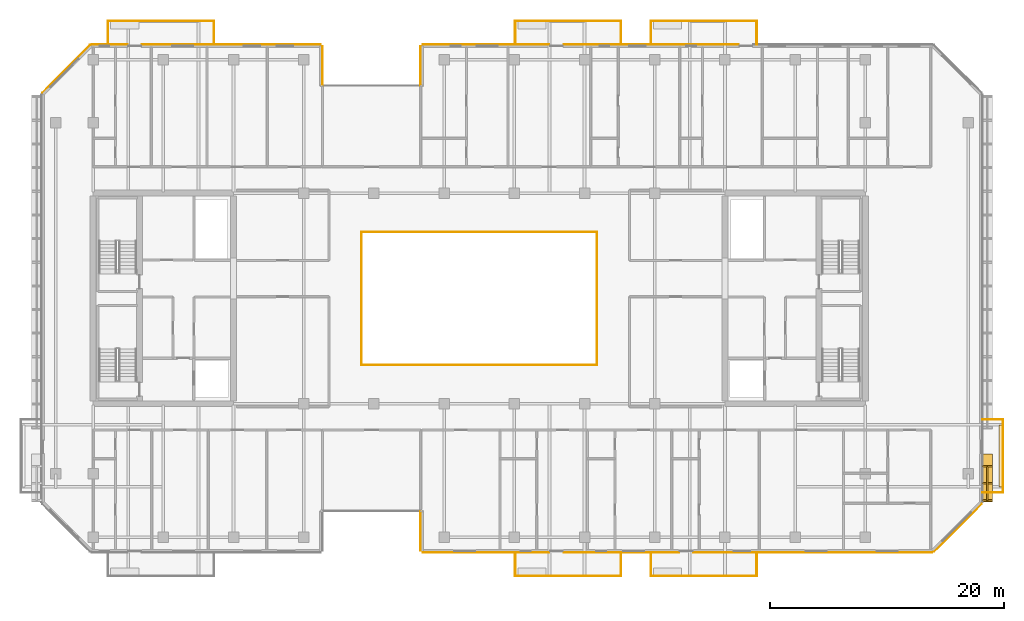
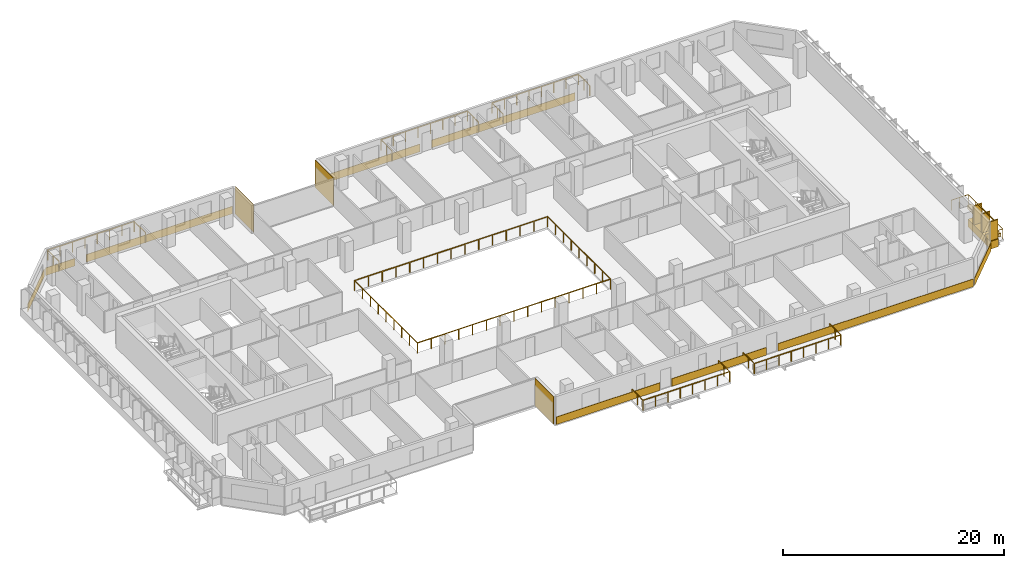
# One storey, part 18 of 19: 14 coverings, 9 railings.
"""IFC4 building model written with IfcOpenShell, lengths in metres."""

from ifc_helpers import new_model, si_unit, direction, frame, origin, origin_2d, place, context, subcontext, project, spatial, polyline, rectangle, outline, extrude, material, layer, layer_set, type_object, element, save


model = new_model("IFC4")

# Units and contexts
model_context = context("Model", 3, precision=1e-05, world=origin(), true_north=direction((0.0, 1.0)))
body_context = subcontext(model_context, "Body", "Model", "MODEL_VIEW")
ifc_project = project(units=[si_unit("LENGTHUNIT", "METRE"), si_unit("AREAUNIT", "SQUARE_METRE"), si_unit("VOLUMEUNIT", "CUBIC_METRE"), si_unit("PLANEANGLEUNIT", "RADIAN"), si_unit("MASSUNIT", "GRAM", prefix="KILO")], contexts=[model_context])

# Site, building, storey
site_placement = place(None, origin())
site = spatial("IfcSite", under=ifc_project, at=site_placement, CompositionType="ELEMENT")
building_placement = place(site_placement, origin())
building = spatial("IfcBuilding", under=site, at=building_placement, Name="Tanjung Sevakor Pilgrim Tower", CompositionType="ELEMENT")
storey_placement = place(building_placement, frame((0.0, 0.0, 135.300048828125)))
storey = spatial("IfcBuildingStorey", under=building, at=storey_placement, Name="L37", CompositionType="ELEMENT", Elevation=135.300048828125)

# Coverings
ifc_material_1 = material(Name="Reconstructed Limestone Cladding", Category="masonry")
ifc_layer_1 = layer(ifc_material_1, 0.044921875)
ifc_layer_set_1 = layer_set([ifc_layer_1], Name="COV-CLAD-LIMESTONE")
covering_type_1 = type_object("IfcCoveringType", Name="COV-CLAD-LIMESTONE", PredefinedType="CLADDING", material=ifc_layer_set_1)
covering_1_placement = place(storey_placement, frame((51.9775390625, 13.72509765625, 0.02001953125), z_axis=(0.0, 0.0, 1.0), x_axis=(0.0, -1.0, 0.0)))
element("IfcCovering", 1, at=covering_1_placement, inside=storey, type_object=covering_type_1, Name="L37 Warm Limestone Wall Cladding EW-L37-MAIN-4", PredefinedType="CLADDING", context=body_context, shape_type="SweptSolid", body=[
    extrude(rectangle(XDim=3.360107421875, YDim=0.044921875, at=origin_2d()), origin(), (0.0, 0.0, 1.0), 3.0400390625),
])
covering_2_placement = place(storey_placement, frame((57.577392578125, 11.87744140625, 0.009765625), z_axis=(0.0, 0.0, 1.0), x_axis=(1.0, 0.0, 0.0)))
element("IfcCovering", 2, at=covering_2_placement, inside=storey, type_object=covering_type_1, Name="L37 Warm Limestone Sill Spandrel EW-L37-MAIN-5-1", PredefinedType="CLADDING", context=body_context, shape_type="SweptSolid", body=[
    extrude(rectangle(XDim=10.824951171875, YDim=0.044921875, at=origin_2d()), origin(), (0.0, 0.0, 1.0), 0.840087890625),
])
covering_3_placement = place(storey_placement, frame((69.14990234375, 11.87744140625, 0.009765625), z_axis=(0.0, 0.0, 1.0), x_axis=(1.0, 0.0, 0.0)))
element("IfcCovering", 3, at=covering_3_placement, inside=storey, type_object=covering_type_1, Name="L37 Warm Limestone Sill Spandrel EW-L37-MAIN-5-2", PredefinedType="CLADDING", context=body_context, shape_type="SweptSolid", body=[
    extrude(rectangle(XDim=9.8798828125, YDim=0.044921875, at=origin_2d()), origin(), (0.0, 0.0, 1.0), 0.840087890625),
])
covering_4_placement = place(storey_placement, frame((85.509033203125, 11.87744140625, 0.009765625), z_axis=(0.0, 0.0, 1.0), x_axis=(1.0, 0.0, 0.0)))
element("IfcCovering", 4, at=covering_4_placement, inside=storey, type_object=covering_type_1, Name="L37 Warm Limestone Sill Spandrel EW-L37-MAIN-5-3", PredefinedType="CLADDING", context=body_context, shape_type="SweptSolid", body=[
    extrude(rectangle(XDim=20.398193359375, YDim=0.044921875, at=origin_2d()), origin(), (0.0, 0.0, 1.0), 0.840087890625),
])
covering_5_placement = place(storey_placement, frame((97.916015625, 13.984130859375, 0.009765625), z_axis=(0.0, 0.0, 1.0), x_axis=(0.707106781187, 0.707106781187, 0.0)))
element("IfcCovering", 5, at=covering_5_placement, inside=storey, type_object=covering_type_1, Name="L37 Warm Limestone Sill Spandrel EW-CHM-L37-MAIN-5-1", PredefinedType="CLADDING", context=body_context, shape_type="SweptSolid", body=[
    extrude(rectangle(XDim=5.756103515625, YDim=0.044921875, at=origin_2d()), origin(), (0.0, 0.0, 1.0), 0.840087890625),
])
covering_6_placement = place(storey_placement, frame((100.429931640625, 18.240966796875, 0.009765625), z_axis=(0.0, 0.0, 1.0), x_axis=(0.0, 1.0, 0.0)))
element("IfcCovering", 6, at=covering_6_placement, inside=storey, type_object=covering_type_1, Name="L37 Warm Limestone Sill Spandrel EW-L37-MAIN-7-1", PredefinedType="CLADDING", context=body_context, shape_type="SweptSolid", body=[
    extrude(rectangle(XDim=4.09814453125, YDim=0.860107421875, at=origin_2d()), origin(), (0.0, 0.0, 1.0), 0.840087890625),
])
covering_7_placement = place(storey_placement, frame((71.699951171875, 55.322509765625, 0.009765625), z_axis=(0.0, 0.0, 1.0), x_axis=(-1.0, 0.0, 0.0)))
element("IfcCovering", 7, at=covering_7_placement, inside=storey, type_object=covering_type_1, Name="L37 Warm Limestone Sill Spandrel EW-L37-MAIN-9-2", PredefinedType="CLADDING", context=body_context, shape_type="SweptSolid", body=[
    extrude(rectangle(XDim=14.97998046875, YDim=0.044921875, at=origin_2d()), origin(), (0.0, 0.0, 1.0), 0.840087890625),
])
covering_8_placement = place(storey_placement, frame((57.577392578125, 55.322509765625, 0.009765625), z_axis=(0.0, 0.0, 1.0), x_axis=(-1.0, 0.0, 0.0)))
element("IfcCovering", 8, at=covering_8_placement, inside=storey, type_object=covering_type_1, Name="L37 Warm Limestone Sill Spandrel EW-L37-MAIN-9-3", PredefinedType="CLADDING", context=body_context, shape_type="SweptSolid", body=[
    extrude(rectangle(XDim=10.824951171875, YDim=0.044921875, at=origin_2d()), origin(), (0.0, 0.0, 1.0), 0.840087890625),
])
for number, where, z_axis, x_axis, name in (
    (9, (51.9775390625, 53.47509765625, 0.02001953125), (0.0, 0.0, 1.0), (0.0, -1.0, 0.0), "L37 Warm Limestone Wall Cladding EW-L37-MAIN-10"),
    (10, (43.62255859375, 53.47509765625, 0.02001953125), (0.0, 0.0, 1.0), (0.0, 1.0, 0.0), "L37 Warm Limestone Wall Cladding EW-L37-MAIN-12"),
):
    element("IfcCovering", number, at=place(storey_placement, frame(where, z_axis=z_axis, x_axis=x_axis)), inside=storey, type_object=covering_type_1, Name=name, PredefinedType="CLADDING", context=body_context, shape_type="SweptSolid", body=[
        extrude(rectangle(XDim=3.360107421875, YDim=0.044921875, at=origin_2d()), origin(), (0.0, 0.0, 1.0), 3.0400390625),
    ])
covering_9_placement = place(storey_placement, frame((35.797607421875, 55.322509765625, 0.009765625), z_axis=(0.0, 0.0, 1.0), x_axis=(-1.0, 0.0, 0.0)))
element("IfcCovering", 11, at=covering_9_placement, inside=storey, type_object=covering_type_1, Name="L37 Warm Limestone Sill Spandrel EW-L37-MAIN-13-1", PredefinedType="CLADDING", context=body_context, shape_type="SweptSolid", body=[
    extrude(rectangle(XDim=15.27490234375, YDim=0.044921875, at=origin_2d()), origin(), (0.0, 0.0, 1.0), 0.840087890625),
])
covering_10_placement = place(storey_placement, frame((25.416015625, 55.322509765625, 0.009765625), z_axis=(0.0, 0.0, 1.0), x_axis=(-1.0, 0.0, 0.0)))
element("IfcCovering", 12, at=covering_10_placement, inside=storey, type_object=covering_type_1, Name="L37 Warm Limestone Sill Spandrel EW-L37-MAIN-13-2", PredefinedType="CLADDING", context=body_context, shape_type="SweptSolid", body=[
    extrude(rectangle(XDim=3.048095703125, YDim=0.044921875, at=origin_2d()), origin(), (0.0, 0.0, 1.0), 0.840087890625),
])
covering_11_placement = place(storey_placement, frame((21.68408203125, 53.2158203125, 0.009765625), z_axis=(0.0, 0.0, 1.0), x_axis=(-0.707106781187, -0.707106781187, 0.0)))
element("IfcCovering", 13, at=covering_11_placement, inside=storey, type_object=covering_type_1, Name="L37 Warm Limestone Sill Spandrel EW-CHM-L37-MAIN-13-1", PredefinedType="CLADDING", context=body_context, shape_type="SweptSolid", body=[
    extrude(rectangle(XDim=5.756103515625, YDim=0.044921875, at=origin_2d()), origin(), (0.0, 0.0, 1.0), 0.840087890625),
])
ifc_material_2 = material(Name="Vegetated Modular Planter Assembly", Category="organic")
ifc_layer_2 = layer(ifc_material_2, 0.35009765625)
ifc_layer_set_2 = layer_set([ifc_layer_2], Name="COV-GRN-TROUGH")
covering_type_2 = type_object("IfcCoveringType", Name="COV-GRN-TROUGH", PredefinedType="CLADDING", material=ifc_layer_set_2)
covering_12_placement = place(storey_placement, origin())
element("IfcCovering", 14, at=covering_12_placement, inside=storey, type_object=covering_type_2, Name="L37 Planted Landscape Hedge Trough BGRN-L37-MAIN-E1", PredefinedType="CLADDING", context=body_context, shape_type="SweptSolid", body=[
    extrude(outline(polyline([(101.85009765625, 17.5), (101.85009765625, 22.800048828125), (101.409912109375, 22.800048828125), (101.409912109375, 17.5), (101.85009765625, 17.5)])), origin(), (0.0, 0.0, 1.0), 0.349853515625),
])

# Railings
ifc_material_3 = material(Name="Laminated Glass and Aluminium", Category="aluminium")
railing_type_1 = type_object("IfcRailingType", Name="RL-BAL-BALUST", PredefinedType="BALUSTRADE", material=ifc_material_3)
railing_1_placement = place(storey_placement, frame((46.919921875, 27.919921875, 0.0)))
element("IfcRailing", 15, at=railing_1_placement, inside=storey, type_object=railing_type_1, Name="L37 Void Opening Balustrade 1A", PredefinedType="BALUSTRADE", context=body_context, shape_type="SweptSolid", body=[
    extrude(rectangle(XDim=0.0479, YDim=0.0479), frame((0.0, 0.0, 1.1259765625), z_axis=(1.0, 0.0, 0.0), x_axis=(0.0, 1.0, 0.0)), (0.0, 0.0, 1.0), 20.16015625),
    extrude(rectangle(XDim=0.0479, YDim=0.0479), frame((20.16015625, 0.0, 1.1259765625), z_axis=(0.0, 1.0, 0.0), x_axis=(-1.0, 0.0, 0.0)), (0.0, 0.0, 1.0), 11.360107421875),
    extrude(rectangle(XDim=0.042, YDim=0.042), origin(), (0.0, 0.0, 1.0), 1.101806640625),
    extrude(rectangle(XDim=0.042, YDim=0.042), frame((1.43994140625, 0.0, 0.0)), (0.0, 0.0, 1.0), 1.101806640625),
    extrude(rectangle(XDim=0.042, YDim=0.042), frame((2.880126953125, 0.0, 0.0)), (0.0, 0.0, 1.0), 1.101806640625),
    extrude(rectangle(XDim=0.042, YDim=0.042), frame((4.320068359375, 0.0, 0.0)), (0.0, 0.0, 1.0), 1.101806640625),
    extrude(rectangle(XDim=0.042, YDim=0.042), frame((5.760009765625, 0.0, 0.0)), (0.0, 0.0, 1.0), 1.101806640625),
    extrude(rectangle(XDim=0.042, YDim=0.042), frame((7.199951171875, 0.0, 0.0)), (0.0, 0.0, 1.0), 1.101806640625),
    extrude(rectangle(XDim=0.042, YDim=0.042), frame((8.64013671875, 0.0, 0.0)), (0.0, 0.0, 1.0), 1.101806640625),
    extrude(rectangle(XDim=0.042, YDim=0.042), frame((10.080078125, 0.0, 0.0)), (0.0, 0.0, 1.0), 1.101806640625),
    extrude(rectangle(XDim=0.042, YDim=0.042), frame((11.52001953125, 0.0, 0.0)), (0.0, 0.0, 1.0), 1.101806640625),
    extrude(rectangle(XDim=0.042, YDim=0.042), frame((12.960205078125, 0.0, 0.0)), (0.0, 0.0, 1.0), 1.101806640625),
    extrude(rectangle(XDim=0.042, YDim=0.042), frame((14.400146484375, 0.0, 0.0)), (0.0, 0.0, 1.0), 1.101806640625),
    extrude(rectangle(XDim=0.042, YDim=0.042), frame((15.840087890625, 0.0, 0.0)), (0.0, 0.0, 1.0), 1.101806640625),
    extrude(rectangle(XDim=0.042, YDim=0.042), frame((17.280029296875, 0.0, 0.0)), (0.0, 0.0, 1.0), 1.101806640625),
    extrude(rectangle(XDim=0.042, YDim=0.042), frame((18.72021484375, 0.0, 0.0)), (0.0, 0.0, 1.0), 1.101806640625),
    extrude(rectangle(XDim=0.042, YDim=0.042), frame((20.16015625, 0.0, 0.0)), (0.0, 0.0, 1.0), 1.101806640625),
    extrude(rectangle(XDim=0.042, YDim=0.042), frame((20.16015625, 1.419921875, 0.0)), (0.0, 0.0, 1.0), 1.101806640625),
    extrude(rectangle(XDim=0.042, YDim=0.042), frame((20.16015625, 2.840087890625, 0.0)), (0.0, 0.0, 1.0), 1.101806640625),
    extrude(rectangle(XDim=0.042, YDim=0.042), frame((20.16015625, 4.260009765625, 0.0)), (0.0, 0.0, 1.0), 1.101806640625),
    extrude(rectangle(XDim=0.042, YDim=0.042), frame((20.16015625, 5.68017578125, 0.0)), (0.0, 0.0, 1.0), 1.101806640625),
    extrude(rectangle(XDim=0.042, YDim=0.042), frame((20.16015625, 7.10009765625, 0.0)), (0.0, 0.0, 1.0), 1.101806640625),
    extrude(rectangle(XDim=0.042, YDim=0.042), frame((20.16015625, 8.52001953125, 0.0)), (0.0, 0.0, 1.0), 1.101806640625),
    extrude(rectangle(XDim=0.042, YDim=0.042), frame((20.16015625, 9.940185546875, 0.0)), (0.0, 0.0, 1.0), 1.101806640625),
    extrude(rectangle(XDim=0.042, YDim=0.042), frame((20.16015625, 11.360107421875, 0.0)), (0.0, 0.0, 1.0), 1.101806640625),
])
railing_2_placement = place(storey_placement, frame((67.080078125, 39.280029296875, 0.0)))
element("IfcRailing", 16, at=railing_2_placement, inside=storey, type_object=railing_type_1, Name="L37 Void Opening Balustrade 1B", PredefinedType="BALUSTRADE", context=body_context, shape_type="SweptSolid", body=[
    extrude(rectangle(XDim=0.0479, YDim=0.0479), frame((0.0, 0.0, 1.1259765625), z_axis=(-1.0, 0.0, 0.0), x_axis=(0.0, -1.0, 0.0)), (0.0, 0.0, 1.0), 20.16015625),
    extrude(rectangle(XDim=0.0479, YDim=0.0479), frame((-20.16015625, 0.0, 1.1259765625), z_axis=(0.0, -1.0, 0.0), x_axis=(1.0, 0.0, 0.0)), (0.0, 0.0, 1.0), 11.360107421875),
    extrude(rectangle(XDim=0.042, YDim=0.042), origin(), (0.0, 0.0, 1.0), 1.101806640625),
    extrude(rectangle(XDim=0.042, YDim=0.042), frame((-1.43994140625, 0.0, 0.0)), (0.0, 0.0, 1.0), 1.101806640625),
    extrude(rectangle(XDim=0.042, YDim=0.042), frame((-2.880126953125, 0.0, 0.0)), (0.0, 0.0, 1.0), 1.101806640625),
    extrude(rectangle(XDim=0.042, YDim=0.042), frame((-4.320068359375, 0.0, 0.0)), (0.0, 0.0, 1.0), 1.101806640625),
    extrude(rectangle(XDim=0.042, YDim=0.042), frame((-5.760009765625, 0.0, 0.0)), (0.0, 0.0, 1.0), 1.101806640625),
    extrude(rectangle(XDim=0.042, YDim=0.042), frame((-7.199951171875, 0.0, 0.0)), (0.0, 0.0, 1.0), 1.101806640625),
    extrude(rectangle(XDim=0.042, YDim=0.042), frame((-8.64013671875, 0.0, 0.0)), (0.0, 0.0, 1.0), 1.101806640625),
    extrude(rectangle(XDim=0.042, YDim=0.042), frame((-10.080078125, 0.0, 0.0)), (0.0, 0.0, 1.0), 1.101806640625),
    extrude(rectangle(XDim=0.042, YDim=0.042), frame((-11.52001953125, 0.0, 0.0)), (0.0, 0.0, 1.0), 1.101806640625),
    extrude(rectangle(XDim=0.042, YDim=0.042), frame((-12.960205078125, 0.0, 0.0)), (0.0, 0.0, 1.0), 1.101806640625),
    extrude(rectangle(XDim=0.042, YDim=0.042), frame((-14.400146484375, 0.0, 0.0)), (0.0, 0.0, 1.0), 1.101806640625),
    extrude(rectangle(XDim=0.042, YDim=0.042), frame((-15.840087890625, 0.0, 0.0)), (0.0, 0.0, 1.0), 1.101806640625),
    extrude(rectangle(XDim=0.042, YDim=0.042), frame((-17.280029296875, 0.0, 0.0)), (0.0, 0.0, 1.0), 1.101806640625),
    extrude(rectangle(XDim=0.042, YDim=0.042), frame((-18.72021484375, 0.0, 0.0)), (0.0, 0.0, 1.0), 1.101806640625),
    extrude(rectangle(XDim=0.042, YDim=0.042), frame((-20.16015625, 0.0, 0.0)), (0.0, 0.0, 1.0), 1.101806640625),
    extrude(rectangle(XDim=0.042, YDim=0.042), frame((-20.16015625, -1.419921875, 0.0)), (0.0, 0.0, 1.0), 1.101806640625),
    extrude(rectangle(XDim=0.042, YDim=0.042), frame((-20.16015625, -2.840087890625, 0.0)), (0.0, 0.0, 1.0), 1.101806640625),
    extrude(rectangle(XDim=0.042, YDim=0.042), frame((-20.16015625, -4.260009765625, 0.0)), (0.0, 0.0, 1.0), 1.101806640625),
    extrude(rectangle(XDim=0.042, YDim=0.042), frame((-20.16015625, -5.68017578125, 0.0)), (0.0, 0.0, 1.0), 1.101806640625),
    extrude(rectangle(XDim=0.042, YDim=0.042), frame((-20.16015625, -7.10009765625, 0.0)), (0.0, 0.0, 1.0), 1.101806640625),
    extrude(rectangle(XDim=0.042, YDim=0.042), frame((-20.16015625, -8.52001953125, 0.0)), (0.0, 0.0, 1.0), 1.101806640625),
    extrude(rectangle(XDim=0.042, YDim=0.042), frame((-20.16015625, -9.940185546875, 0.0)), (0.0, 0.0, 1.0), 1.101806640625),
    extrude(rectangle(XDim=0.042, YDim=0.042), frame((-20.16015625, -11.360107421875, 0.0)), (0.0, 0.0, 1.0), 1.101806640625),
])
railing_3_placement = place(storey_placement, frame((25.280029296875, 55.300048828125, 0.0)))
element("IfcRailing", 17, at=railing_3_placement, inside=storey, type_object=railing_type_1, Name="L37 Loggia Balustrade MAIN-N1", PredefinedType="BALUSTRADE", context=body_context, shape_type="SweptSolid", body=[
    extrude(rectangle(XDim=0.0479, YDim=0.0479), frame((0.0, 0.0, 1.1259765625), z_axis=(0.0, 1.0, 0.0), x_axis=(-1.0, 0.0, 0.0)), (0.0, 0.0, 1.0), 2.02001953125),
    extrude(rectangle(XDim=0.0479, YDim=0.0479), frame((0.0, 2.02001953125, 1.1259765625), z_axis=(1.0, 0.0, 0.0), x_axis=(0.0, 1.0, 0.0)), (0.0, 0.0, 1.0), 9.0400390625),
    extrude(rectangle(XDim=0.0479, YDim=0.0479), frame((9.0400390625, 2.02001953125, 1.1259765625), z_axis=(0.0, -1.0, 0.0), x_axis=(1.0, 0.0, 0.0)), (0.0, 0.0, 1.0), 2.02001953125),
    extrude(rectangle(XDim=0.042, YDim=0.042), origin(), (0.0, 0.0, 1.0), 1.101806640625),
    extrude(rectangle(XDim=0.042, YDim=0.042), frame((0.0, 1.010009765625, 0.0)), (0.0, 0.0, 1.0), 1.101806640625),
    extrude(rectangle(XDim=0.042, YDim=0.042), frame((0.0, 2.02001953125, 0.0)), (0.0, 0.0, 1.0), 1.101806640625),
    extrude(rectangle(XDim=0.042, YDim=0.042), frame((1.29150390625, 2.02001953125, 0.0)), (0.0, 0.0, 1.0), 1.101806640625),
    extrude(rectangle(XDim=0.042, YDim=0.042), frame((2.582763671875, 2.02001953125, 0.0)), (0.0, 0.0, 1.0), 1.101806640625),
    extrude(rectangle(XDim=0.042, YDim=0.042), frame((3.874267578125, 2.02001953125, 0.0)), (0.0, 0.0, 1.0), 1.101806640625),
    extrude(rectangle(XDim=0.042, YDim=0.042), frame((5.165771484375, 2.02001953125, 0.0)), (0.0, 0.0, 1.0), 1.101806640625),
    extrude(rectangle(XDim=0.042, YDim=0.042), frame((6.457275390625, 2.02001953125, 0.0)), (0.0, 0.0, 1.0), 1.101806640625),
    extrude(rectangle(XDim=0.042, YDim=0.042), frame((7.74853515625, 2.02001953125, 0.0)), (0.0, 0.0, 1.0), 1.101806640625),
    extrude(rectangle(XDim=0.042, YDim=0.042), frame((9.0400390625, 2.02001953125, 0.0)), (0.0, 0.0, 1.0), 1.101806640625),
    extrude(rectangle(XDim=0.042, YDim=0.042), frame((9.0400390625, 1.010009765625, 0.0)), (0.0, 0.0, 1.0), 1.101806640625),
    extrude(rectangle(XDim=0.042, YDim=0.042), frame((9.0400390625, 0.0, 0.0)), (0.0, 0.0, 1.0), 1.101806640625),
])
railing_4_placement = place(storey_placement, frame((60.080078125, 11.89990234375, 0.0)))
element("IfcRailing", 18, at=railing_4_placement, inside=storey, type_object=railing_type_1, Name="L37 Loggia Balustrade MAIN-S2", PredefinedType="BALUSTRADE", context=body_context, shape_type="SweptSolid", body=[
    extrude(rectangle(XDim=0.0479, YDim=0.0479), frame((0.0, 0.0, 1.1259765625), z_axis=(0.0, -1.0, 0.0), x_axis=(1.0, 0.0, 0.0)), (0.0, 0.0, 1.0), 2.02001953125),
    extrude(rectangle(XDim=0.0479, YDim=0.0479), frame((0.0, -2.02001953125, 1.1259765625), z_axis=(1.0, 0.0, 0.0), x_axis=(0.0, 1.0, 0.0)), (0.0, 0.0, 1.0), 9.0400390625),
    extrude(rectangle(XDim=0.0479, YDim=0.0479), frame((9.0400390625, -2.02001953125, 1.1259765625), z_axis=(0.0, 1.0, 0.0), x_axis=(-1.0, 0.0, 0.0)), (0.0, 0.0, 1.0), 2.02001953125),
    extrude(rectangle(XDim=0.042, YDim=0.042), origin(), (0.0, 0.0, 1.0), 1.101806640625),
    extrude(rectangle(XDim=0.042, YDim=0.042), frame((0.0, -1.010009765625, 0.0)), (0.0, 0.0, 1.0), 1.101806640625),
    extrude(rectangle(XDim=0.042, YDim=0.042), frame((0.0, -2.02001953125, 0.0)), (0.0, 0.0, 1.0), 1.101806640625),
    extrude(rectangle(XDim=0.042, YDim=0.042), frame((1.29150390625, -2.02001953125, 0.0)), (0.0, 0.0, 1.0), 1.101806640625),
    extrude(rectangle(XDim=0.042, YDim=0.042), frame((2.582763671875, -2.02001953125, 0.0)), (0.0, 0.0, 1.0), 1.101806640625),
    extrude(rectangle(XDim=0.042, YDim=0.042), frame((3.874267578125, -2.02001953125, 0.0)), (0.0, 0.0, 1.0), 1.101806640625),
    extrude(rectangle(XDim=0.042, YDim=0.042), frame((5.165771484375, -2.02001953125, 0.0)), (0.0, 0.0, 1.0), 1.101806640625),
    extrude(rectangle(XDim=0.042, YDim=0.042), frame((6.457275390625, -2.02001953125, 0.0)), (0.0, 0.0, 1.0), 1.101806640625),
    extrude(rectangle(XDim=0.042, YDim=0.042), frame((7.74853515625, -2.02001953125, 0.0)), (0.0, 0.0, 1.0), 1.101806640625),
    extrude(rectangle(XDim=0.042, YDim=0.042), frame((9.0400390625, -2.02001953125, 0.0)), (0.0, 0.0, 1.0), 1.101806640625),
    extrude(rectangle(XDim=0.042, YDim=0.042), frame((9.0400390625, -1.010009765625, 0.0)), (0.0, 0.0, 1.0), 1.101806640625),
    extrude(rectangle(XDim=0.042, YDim=0.042), frame((9.0400390625, 0.0, 0.0)), (0.0, 0.0, 1.0), 1.101806640625),
])
railing_5_placement = place(storey_placement, frame((60.080078125, 55.300048828125, 0.0)))
element("IfcRailing", 19, at=railing_5_placement, inside=storey, type_object=railing_type_1, Name="L37 Loggia Balustrade MAIN-N2", PredefinedType="BALUSTRADE", context=body_context, shape_type="SweptSolid", body=[
    extrude(rectangle(XDim=0.0479, YDim=0.0479), frame((0.0, 0.0, 1.1259765625), z_axis=(0.0, 1.0, 0.0), x_axis=(-1.0, 0.0, 0.0)), (0.0, 0.0, 1.0), 2.02001953125),
    extrude(rectangle(XDim=0.0479, YDim=0.0479), frame((0.0, 2.02001953125, 1.1259765625), z_axis=(1.0, 0.0, 0.0), x_axis=(0.0, 1.0, 0.0)), (0.0, 0.0, 1.0), 9.0400390625),
    extrude(rectangle(XDim=0.0479, YDim=0.0479), frame((9.0400390625, 2.02001953125, 1.1259765625), z_axis=(0.0, -1.0, 0.0), x_axis=(1.0, 0.0, 0.0)), (0.0, 0.0, 1.0), 2.02001953125),
    extrude(rectangle(XDim=0.042, YDim=0.042), origin(), (0.0, 0.0, 1.0), 1.101806640625),
    extrude(rectangle(XDim=0.042, YDim=0.042), frame((0.0, 1.010009765625, 0.0)), (0.0, 0.0, 1.0), 1.101806640625),
    extrude(rectangle(XDim=0.042, YDim=0.042), frame((0.0, 2.02001953125, 0.0)), (0.0, 0.0, 1.0), 1.101806640625),
    extrude(rectangle(XDim=0.042, YDim=0.042), frame((1.29150390625, 2.02001953125, 0.0)), (0.0, 0.0, 1.0), 1.101806640625),
    extrude(rectangle(XDim=0.042, YDim=0.042), frame((2.582763671875, 2.02001953125, 0.0)), (0.0, 0.0, 1.0), 1.101806640625),
    extrude(rectangle(XDim=0.042, YDim=0.042), frame((3.874267578125, 2.02001953125, 0.0)), (0.0, 0.0, 1.0), 1.101806640625),
    extrude(rectangle(XDim=0.042, YDim=0.042), frame((5.165771484375, 2.02001953125, 0.0)), (0.0, 0.0, 1.0), 1.101806640625),
    extrude(rectangle(XDim=0.042, YDim=0.042), frame((6.457275390625, 2.02001953125, 0.0)), (0.0, 0.0, 1.0), 1.101806640625),
    extrude(rectangle(XDim=0.042, YDim=0.042), frame((7.74853515625, 2.02001953125, 0.0)), (0.0, 0.0, 1.0), 1.101806640625),
    extrude(rectangle(XDim=0.042, YDim=0.042), frame((9.0400390625, 2.02001953125, 0.0)), (0.0, 0.0, 1.0), 1.101806640625),
    extrude(rectangle(XDim=0.042, YDim=0.042), frame((9.0400390625, 1.010009765625, 0.0)), (0.0, 0.0, 1.0), 1.101806640625),
    extrude(rectangle(XDim=0.042, YDim=0.042), frame((9.0400390625, 0.0, 0.0)), (0.0, 0.0, 1.0), 1.101806640625),
])
railing_6_placement = place(storey_placement, frame((71.679931640625, 11.89990234375, 0.0)))
element("IfcRailing", 20, at=railing_6_placement, inside=storey, type_object=railing_type_1, Name="L37 Loggia Balustrade MAIN-S3", PredefinedType="BALUSTRADE", context=body_context, shape_type="SweptSolid", body=[
    extrude(rectangle(XDim=0.0479, YDim=0.0479), frame((0.0, 0.0, 1.1259765625), z_axis=(0.0, -1.0, 0.0), x_axis=(1.0, 0.0, 0.0)), (0.0, 0.0, 1.0), 2.02001953125),
    extrude(rectangle(XDim=0.0479, YDim=0.0479), frame((0.0, -2.02001953125, 1.1259765625), z_axis=(1.0, 0.0, 0.0), x_axis=(0.0, 1.0, 0.0)), (0.0, 0.0, 1.0), 9.0400390625),
    extrude(rectangle(XDim=0.0479, YDim=0.0479), frame((9.0400390625, -2.02001953125, 1.1259765625), z_axis=(0.0, 1.0, 0.0), x_axis=(-1.0, 0.0, 0.0)), (0.0, 0.0, 1.0), 2.02001953125),
    extrude(rectangle(XDim=0.042, YDim=0.042), origin(), (0.0, 0.0, 1.0), 1.101806640625),
    extrude(rectangle(XDim=0.042, YDim=0.042), frame((0.0, -1.010009765625, 0.0)), (0.0, 0.0, 1.0), 1.101806640625),
    extrude(rectangle(XDim=0.042, YDim=0.042), frame((0.0, -2.02001953125, 0.0)), (0.0, 0.0, 1.0), 1.101806640625),
    extrude(rectangle(XDim=0.042, YDim=0.042), frame((1.29150390625, -2.02001953125, 0.0)), (0.0, 0.0, 1.0), 1.101806640625),
    extrude(rectangle(XDim=0.042, YDim=0.042), frame((2.582763671875, -2.02001953125, 0.0)), (0.0, 0.0, 1.0), 1.101806640625),
    extrude(rectangle(XDim=0.042, YDim=0.042), frame((3.874267578125, -2.02001953125, 0.0)), (0.0, 0.0, 1.0), 1.101806640625),
    extrude(rectangle(XDim=0.042, YDim=0.042), frame((5.165771484375, -2.02001953125, 0.0)), (0.0, 0.0, 1.0), 1.101806640625),
    extrude(rectangle(XDim=0.042, YDim=0.042), frame((6.457275390625, -2.02001953125, 0.0)), (0.0, 0.0, 1.0), 1.101806640625),
    extrude(rectangle(XDim=0.042, YDim=0.042), frame((7.74853515625, -2.02001953125, 0.0)), (0.0, 0.0, 1.0), 1.101806640625),
    extrude(rectangle(XDim=0.042, YDim=0.042), frame((9.0400390625, -2.02001953125, 0.0)), (0.0, 0.0, 1.0), 1.101806640625),
    extrude(rectangle(XDim=0.042, YDim=0.042), frame((9.0400390625, -1.010009765625, 0.0)), (0.0, 0.0, 1.0), 1.101806640625),
    extrude(rectangle(XDim=0.042, YDim=0.042), frame((9.0400390625, 0.0, 0.0)), (0.0, 0.0, 1.0), 1.101806640625),
])
railing_7_placement = place(storey_placement, frame((71.679931640625, 55.300048828125, 0.0)))
element("IfcRailing", 21, at=railing_7_placement, inside=storey, type_object=railing_type_1, Name="L37 Loggia Balustrade MAIN-N3", PredefinedType="BALUSTRADE", context=body_context, shape_type="SweptSolid", body=[
    extrude(rectangle(XDim=0.0479, YDim=0.0479), frame((0.0, 0.0, 1.1259765625), z_axis=(0.0, 1.0, 0.0), x_axis=(-1.0, 0.0, 0.0)), (0.0, 0.0, 1.0), 2.02001953125),
    extrude(rectangle(XDim=0.0479, YDim=0.0479), frame((0.0, 2.02001953125, 1.1259765625), z_axis=(1.0, 0.0, 0.0), x_axis=(0.0, 1.0, 0.0)), (0.0, 0.0, 1.0), 9.0400390625),
    extrude(rectangle(XDim=0.0479, YDim=0.0479), frame((9.0400390625, 2.02001953125, 1.1259765625), z_axis=(0.0, -1.0, 0.0), x_axis=(1.0, 0.0, 0.0)), (0.0, 0.0, 1.0), 2.02001953125),
    extrude(rectangle(XDim=0.042, YDim=0.042), origin(), (0.0, 0.0, 1.0), 1.101806640625),
    extrude(rectangle(XDim=0.042, YDim=0.042), frame((0.0, 1.010009765625, 0.0)), (0.0, 0.0, 1.0), 1.101806640625),
    extrude(rectangle(XDim=0.042, YDim=0.042), frame((0.0, 2.02001953125, 0.0)), (0.0, 0.0, 1.0), 1.101806640625),
    extrude(rectangle(XDim=0.042, YDim=0.042), frame((1.29150390625, 2.02001953125, 0.0)), (0.0, 0.0, 1.0), 1.101806640625),
    extrude(rectangle(XDim=0.042, YDim=0.042), frame((2.582763671875, 2.02001953125, 0.0)), (0.0, 0.0, 1.0), 1.101806640625),
    extrude(rectangle(XDim=0.042, YDim=0.042), frame((3.874267578125, 2.02001953125, 0.0)), (0.0, 0.0, 1.0), 1.101806640625),
    extrude(rectangle(XDim=0.042, YDim=0.042), frame((5.165771484375, 2.02001953125, 0.0)), (0.0, 0.0, 1.0), 1.101806640625),
    extrude(rectangle(XDim=0.042, YDim=0.042), frame((6.457275390625, 2.02001953125, 0.0)), (0.0, 0.0, 1.0), 1.101806640625),
    extrude(rectangle(XDim=0.042, YDim=0.042), frame((7.74853515625, 2.02001953125, 0.0)), (0.0, 0.0, 1.0), 1.101806640625),
    extrude(rectangle(XDim=0.042, YDim=0.042), frame((9.0400390625, 2.02001953125, 0.0)), (0.0, 0.0, 1.0), 1.101806640625),
    extrude(rectangle(XDim=0.042, YDim=0.042), frame((9.0400390625, 1.010009765625, 0.0)), (0.0, 0.0, 1.0), 1.101806640625),
    extrude(rectangle(XDim=0.042, YDim=0.042), frame((9.0400390625, 0.0, 0.0)), (0.0, 0.0, 1.0), 1.101806640625),
])
railing_8_placement = place(storey_placement, frame((100.0, 17.030029296875, 0.0)))
element("IfcRailing", 22, at=railing_8_placement, inside=storey, type_object=railing_type_1, Name="L37 Loggia Balustrade MAIN-E1", PredefinedType="BALUSTRADE", context=body_context, shape_type="SweptSolid", body=[
    extrude(rectangle(XDim=0.0479, YDim=0.0479), frame((0.0, 0.0, 1.1259765625), z_axis=(1.0, 0.0, 0.0), x_axis=(0.0, 1.0, 0.0)), (0.0, 0.0, 1.0), 1.77001953125),
    extrude(rectangle(XDim=0.0479, YDim=0.0479), frame((1.77001953125, 0.0, 1.1259765625), z_axis=(0.0, 1.0, 0.0), x_axis=(-1.0, 0.0, 0.0)), (0.0, 0.0, 1.0), 6.239990234375),
    extrude(rectangle(XDim=0.0479, YDim=0.0479), frame((1.77001953125, 6.239990234375, 1.1259765625), z_axis=(-1.0, 0.0, 0.0), x_axis=(0.0, -1.0, 0.0)), (0.0, 0.0, 1.0), 1.77001953125),
    extrude(rectangle(XDim=0.042, YDim=0.042), origin(), (0.0, 0.0, 1.0), 1.101806640625),
    extrude(rectangle(XDim=0.042, YDim=0.042), frame((0.885009765625, 0.0, 0.0)), (0.0, 0.0, 1.0), 1.101806640625),
    extrude(rectangle(XDim=0.042, YDim=0.042), frame((1.77001953125, 0.0, 0.0)), (0.0, 0.0, 1.0), 1.101806640625),
    extrude(rectangle(XDim=0.042, YDim=0.042), frame((1.77001953125, 1.248046875, 0.0)), (0.0, 0.0, 1.0), 1.101806640625),
    extrude(rectangle(XDim=0.042, YDim=0.042), frame((1.77001953125, 2.49609375, 0.0)), (0.0, 0.0, 1.0), 1.101806640625),
    extrude(rectangle(XDim=0.042, YDim=0.042), frame((1.77001953125, 3.743896484375, 0.0)), (0.0, 0.0, 1.0), 1.101806640625),
    extrude(rectangle(XDim=0.042, YDim=0.042), frame((1.77001953125, 4.991943359375, 0.0)), (0.0, 0.0, 1.0), 1.101806640625),
    extrude(rectangle(XDim=0.042, YDim=0.042), frame((1.77001953125, 6.239990234375, 0.0)), (0.0, 0.0, 1.0), 1.101806640625),
    extrude(rectangle(XDim=0.042, YDim=0.042), frame((0.885009765625, 6.239990234375, 0.0)), (0.0, 0.0, 1.0), 1.101806640625),
    extrude(rectangle(XDim=0.042, YDim=0.042), frame((0.0, 6.239990234375, 0.0)), (0.0, 0.0, 1.0), 1.101806640625),
])
ifc_material_4 = material(Name="Anodised Bronze Aluminium 6063-T6", Category="aluminium")
railing_type_2 = type_object("IfcRailingType", Name="RL-FIN-SCREEN", PredefinedType="BALUSTRADE", material=ifc_material_4)
railing_9_placement = place(storey_placement, frame((100.425048828125, 16.351806640625, 0.83984375)))
element("IfcRailing", 23, at=railing_9_placement, inside=storey, type_object=railing_type_2, Name="L37 Vertical Bronze-Gold Solar Fin Screen FNEND-EW-L37-MAIN-7-1", PredefinedType="BALUSTRADE", context=body_context, shape_type="SweptSolid", body=[
    extrude(rectangle(XDim=0.105, YDim=0.105), frame((0.0, 0.0, 2.157470703125), z_axis=(0.0, 1.0, 0.0), x_axis=(-1.0, 0.0, 0.0)), (0.0, 0.0, 1.0), 2.898193359375),
    extrude(rectangle(XDim=0.85, YDim=0.14), origin(), (0.0, 0.0, 1.0), 2.10498046875),
    extrude(rectangle(XDim=0.85, YDim=0.14), frame((0.0, 1.44921875, 0.0)), (0.0, 0.0, 1.0), 2.10498046875),
    extrude(rectangle(XDim=0.85, YDim=0.14), frame((0.0, 2.898193359375, 0.0)), (0.0, 0.0, 1.0), 2.10498046875),
])

save(model, "model.ifc")
